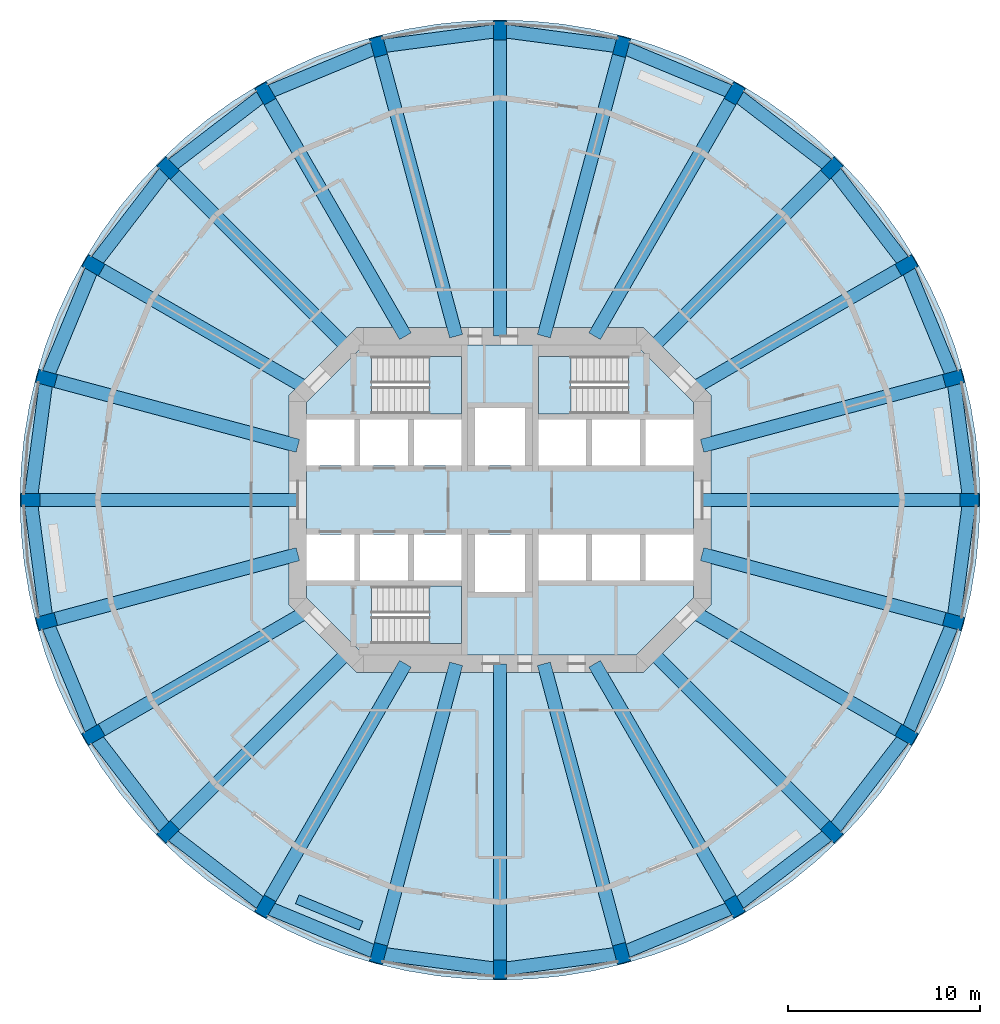
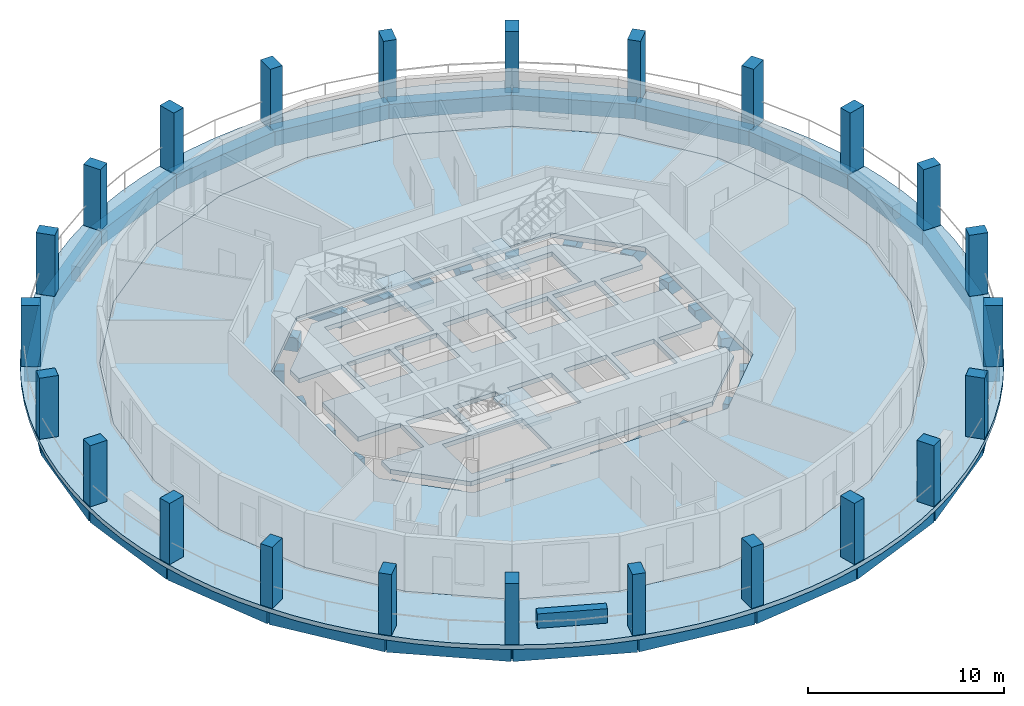
# One storey, part 1 of 8: 48 beams, 24 columns, 6 slabs, 1 wall, 3 elements without a shape of their own.
"""IFC4 building model written with IfcOpenShell, lengths in metres."""

from ifc_helpers import new_model, si_unit, direction, frame, frame_2d, origin, origin_2d, place, context, subcontext, project, spatial, polyline, rectangle, outline, extrude, material, layer, layer_set, material_profile, profile_set, type_object, element, aggregate, save


model = new_model("IFC4")

# Units and contexts
model_context = context("Model", 3, precision=1e-05, world=origin(), true_north=direction((0.0, 1.0)))
body_context = subcontext(model_context, "Body", "Model", "MODEL_VIEW")
ifc_project = project(units=[si_unit("LENGTHUNIT", "METRE"), si_unit("AREAUNIT", "SQUARE_METRE"), si_unit("VOLUMEUNIT", "CUBIC_METRE"), si_unit("PLANEANGLEUNIT", "RADIAN"), si_unit("MASSUNIT", "GRAM", prefix="KILO")], contexts=[model_context])

# Site, building, storey
site_placement = place(None, origin())
site = spatial("IfcSite", under=ifc_project, at=site_placement, CompositionType="ELEMENT")
building_placement = place(site_placement, origin())
building = spatial("IfcBuilding", under=site, at=building_placement, Name="Torre Triforio", CompositionType="ELEMENT")
storey_placement = place(building_placement, frame((0.0, 0.0, 135.199951171875)))
storey = spatial("IfcBuildingStorey", under=building, at=storey_placement, Name="L30", CompositionType="ELEMENT", Elevation=135.199951171875)

# Columns
ifc_material_1 = material(Name="Concrete C60", Category="concrete")
ifc_material_profile_1 = material_profile(ifc_material_1, rectangle(XDim=0.699951171875, YDim=1.0, at=origin_2d()), Name="RC 700x1000")
ifc_profile_set_1 = profile_set([ifc_material_profile_1], Name="Concrete C60")
column_type = type_object("IfcColumnType", Name="Pier RC 700x1000 C60", PredefinedType="COLUMN", material=ifc_profile_set_1)
for number, where, z_axis, x_axis, name in (
    (1, (24.5, 0.0, 0.0), (0.0, 0.0, 1.0), (0.0, 1.0, 0.0), "COL.R.L30.00"),
    (2, (23.665283203125, 6.341064453125, 0.0), (0.0, 0.0, 1.0), (-0.258819045103, 0.965925826289, 0.0), "COL.R.L30.01"),
    (3, (21.217529296875, 12.25, 0.0), (0.0, 0.0, 1.0), (-0.5, 0.866025403784, 0.0), "COL.R.L30.02"),
    (4, (17.32421875, 17.32421875, 0.0), (0.0, 0.0, 1.0), (-0.707106781187, 0.707106781187, 0.0), "COL.R.L30.03"),
    (5, (12.25, 21.217529296875, 0.0), (0.0, 0.0, 1.0), (-0.866025403784, 0.5, 0.0), "COL.R.L30.04"),
    (6, (6.341064453125, 23.665283203125, 0.0), (0.0, 0.0, 1.0), (-0.965925826289, 0.258819045103, 0.0), "COL.R.L30.05"),
    (7, (0.0, 24.5, 0.0), (0.0, 0.0, 1.0), (-1.0, 0.0, 0.0), "COL.R.L30.06"),
    (8, (-6.341064453125, 23.665283203125, 0.0), (0.0, 0.0, 1.0), (-0.965925826289, -0.258819045103, 0.0), "COL.R.L30.07"),
    (9, (-12.25, 21.217529296875, 0.0), (0.0, 0.0, 1.0), (-0.866025403784, -0.5, 0.0), "COL.R.L30.08"),
    (10, (-17.32421875, 17.32421875, 0.0), (0.0, 0.0, 1.0), (-0.707106781187, -0.707106781187, 0.0), "COL.R.L30.09"),
    (11, (-21.217529296875, 12.25, 0.0), (0.0, 0.0, 1.0), (-0.5, -0.866025403784, 0.0), "COL.R.L30.10"),
    (12, (-23.665283203125, 6.341064453125, 0.0), (0.0, 0.0, 1.0), (-0.258819045103, -0.965925826289, 0.0), "COL.R.L30.11"),
    (13, (-24.5, 0.0, 0.0), (0.0, 0.0, 1.0), (0.0, -1.0, 0.0), "COL.R.L30.12"),
    (14, (-23.665283203125, -6.341064453125, 0.0), (0.0, 0.0, 1.0), (0.258819045103, -0.965925826289, 0.0), "COL.R.L30.13"),
    (15, (-21.217529296875, -12.25, 0.0), (0.0, 0.0, 1.0), (0.5, -0.866025403784, 0.0), "COL.R.L30.14"),
    (16, (-17.32421875, -17.32421875, 0.0), (0.0, 0.0, 1.0), (0.707106781187, -0.707106781187, 0.0), "COL.R.L30.15"),
    (17, (-12.25, -21.217529296875, 0.0), (0.0, 0.0, 1.0), (0.866025403784, -0.5, 0.0), "COL.R.L30.16"),
    (18, (-6.341064453125, -23.665283203125, 0.0), (0.0, 0.0, 1.0), (0.965925826289, -0.258819045103, 0.0), "COL.R.L30.17"),
    (19, (0.0, -24.5, 0.0), (0.0, 0.0, 1.0), (1.0, 0.0, 0.0), "COL.R.L30.18"),
    (20, (6.341064453125, -23.665283203125, 0.0), (0.0, 0.0, 1.0), (0.965925826289, 0.258819045103, 0.0), "COL.R.L30.19"),
    (21, (12.25, -21.217529296875, 0.0), (0.0, 0.0, 1.0), (0.866025403784, 0.5, 0.0), "COL.R.L30.20"),
    (22, (17.32421875, -17.32421875, 0.0), (0.0, 0.0, 1.0), (0.707106781187, 0.707106781187, 0.0), "COL.R.L30.21"),
    (23, (21.217529296875, -12.25, 0.0), (0.0, 0.0, 1.0), (0.5, 0.866025403784, 0.0), "COL.R.L30.22"),
    (24, (23.665283203125, -6.341064453125, 0.0), (0.0, 0.0, 1.0), (0.258819045103, 0.965925826289, 0.0), "COL.R.L30.23"),
):
    element("IfcColumn", number, at=place(storey_placement, frame(where, z_axis=z_axis, x_axis=x_axis)), inside=storey, type_object=column_type, Name=name, PredefinedType="COLUMN", context=body_context, shape_type="SweptSolid", body=[
        extrude(rectangle(XDim=0.699951171875, YDim=1.0, at=origin_2d()), origin(), (0.0, 0.0, 1.0), 3.800048828125),
    ])

# Beams
ifc_material_2 = material(Name="Concrete C50", Category="concrete")
ifc_material_profile_2 = material_profile(ifc_material_2, rectangle(XDim=0.699951171875, YDim=0.85009765625, at=origin_2d()), Name="RC 700x850")
ifc_profile_set_2 = profile_set([ifc_material_profile_2], Name="Concrete C50")
beam_type_1 = type_object("IfcBeamType", Name="Radial beam RC 700x850 C50", PredefinedType="BEAM", material=ifc_profile_set_2)
beam_1_placement = place(storey_placement, frame((10.550048828125, 0.0, -0.704833984375), z_axis=(1.0, 0.0, 0.0), x_axis=(0.0, 1.0, 0.0)))
element("IfcBeam", 25, at=beam_1_placement, inside=storey, type_object=beam_type_1, Name="BM.R.L30.00", PredefinedType="BEAM", context=body_context, shape_type="SweptSolid", body=[
    extrude(rectangle(XDim=0.699951171875, YDim=0.85009765625, at=origin_2d()), origin(), (0.0, 0.0, 1.0), 13.949951171875),
])
beam_2_placement = place(storey_placement, frame((10.550048828125, 2.826904296875, -0.704833984375), z_axis=(0.965926862951, 0.258815176197, 0.0), x_axis=(-0.258815176197, 0.965926862951, 0.0)))
element("IfcBeam", 26, at=beam_2_placement, inside=storey, type_object=beam_type_1, Name="BM.R.L30.01", PredefinedType="BEAM", context=body_context, shape_type="SweptSolid", body=[
    extrude(rectangle(XDim=0.699951171875, YDim=0.85009765625, at=origin_2d()), origin(), (0.0, 0.0, 1.0), 13.577880859375),
])
beam_3_placement = place(storey_placement, frame((10.039794921875, 5.796630859375, -0.704833984375), z_axis=(0.866028718729, 0.499994258303, 0.0), x_axis=(-0.499994258303, 0.866028718729, 0.0)))
element("IfcBeam", 27, at=beam_3_placement, inside=storey, type_object=beam_type_1, Name="BM.R.L30.02", PredefinedType="BEAM", context=body_context, shape_type="SweptSolid", body=[
    extrude(rectangle(XDim=0.699951171875, YDim=0.85009765625, at=origin_2d()), origin(), (0.0, 0.0, 1.0), 12.906982421875),
])
beam_4_placement = place(storey_placement, frame((7.918212890625, 7.918212890625, -0.704833984375), z_axis=(0.707106781187, 0.707106781187, 0.0), x_axis=(-0.707106781187, 0.707106781187, 0.0)))
element("IfcBeam", 28, at=beam_4_placement, inside=storey, type_object=beam_type_1, Name="BM.R.L30.03", PredefinedType="BEAM", context=body_context, shape_type="SweptSolid", body=[
    extrude(rectangle(XDim=0.699951171875, YDim=0.85009765625, at=origin_2d()), origin(), (0.0, 0.0, 1.0), 13.302001953125),
])
beam_5_placement = place(storey_placement, frame((4.936279296875, 8.550048828125, -0.704833984375), z_axis=(0.500007560092, 0.86602103892, 0.0), x_axis=(-0.86602103892, 0.500007560092, 0.0)))
element("IfcBeam", 29, at=beam_5_placement, inside=storey, type_object=beam_type_1, Name="BM.R.L30.04", PredefinedType="BEAM", context=body_context, shape_type="SweptSolid", body=[
    extrude(rectangle(XDim=0.699951171875, YDim=0.85009765625, at=origin_2d()), origin(), (0.0, 0.0, 1.0), 14.627197265625),
])
beam_6_placement = place(storey_placement, frame((2.291015625, 8.550048828125, -0.704833984375), z_axis=(0.258815108997, 0.965926880957, 0.0), x_axis=(-0.965926880957, 0.258815108997, 0.0)))
element("IfcBeam", 30, at=beam_6_placement, inside=storey, type_object=beam_type_1, Name="BM.R.L30.05", PredefinedType="BEAM", context=body_context, shape_type="SweptSolid", body=[
    extrude(rectangle(XDim=0.699951171875, YDim=0.85009765625, at=origin_2d()), origin(), (0.0, 0.0, 1.0), 15.6484375),
])
beam_7_placement = place(storey_placement, frame((0.0, 8.550048828125, -0.704833984375), z_axis=(0.0, 1.0, 0.0), x_axis=(-1.0, 0.0, 0.0)))
element("IfcBeam", 31, at=beam_7_placement, inside=storey, type_object=beam_type_1, Name="BM.R.L30.06", PredefinedType="BEAM", context=body_context, shape_type="SweptSolid", body=[
    extrude(rectangle(XDim=0.699951171875, YDim=0.85009765625, at=origin_2d()), origin(), (0.0, 0.0, 1.0), 15.949951171875),
])
beam_8_placement = place(storey_placement, frame((-2.291015625, 8.550048828125, -0.704833984375), z_axis=(-0.258815108997, 0.965926880957, 0.0), x_axis=(-0.965926880957, -0.258815108997, 0.0)))
element("IfcBeam", 32, at=beam_8_placement, inside=storey, type_object=beam_type_1, Name="BM.R.L30.07", PredefinedType="BEAM", context=body_context, shape_type="SweptSolid", body=[
    extrude(rectangle(XDim=0.699951171875, YDim=0.85009765625, at=origin_2d()), origin(), (0.0, 0.0, 1.0), 15.6484375),
])
beam_9_placement = place(storey_placement, frame((-4.936279296875, 8.550048828125, -0.704833984375), z_axis=(-0.500007560092, 0.86602103892, 0.0), x_axis=(-0.86602103892, -0.500007560092, 0.0)))
element("IfcBeam", 33, at=beam_9_placement, inside=storey, type_object=beam_type_1, Name="BM.R.L30.08", PredefinedType="BEAM", context=body_context, shape_type="SweptSolid", body=[
    extrude(rectangle(XDim=0.699951171875, YDim=0.85009765625, at=origin_2d()), origin(), (0.0, 0.0, 1.0), 14.627197265625),
])
beam_10_placement = place(storey_placement, frame((-7.918212890625, 7.918212890625, -0.704833984375), z_axis=(-0.707106781187, 0.707106781187, 0.0), x_axis=(-0.707106781187, -0.707106781187, 0.0)))
element("IfcBeam", 34, at=beam_10_placement, inside=storey, type_object=beam_type_1, Name="BM.R.L30.09", PredefinedType="BEAM", context=body_context, shape_type="SweptSolid", body=[
    extrude(rectangle(XDim=0.699951171875, YDim=0.85009765625, at=origin_2d()), origin(), (0.0, 0.0, 1.0), 13.302001953125),
])
beam_11_placement = place(storey_placement, frame((-10.039794921875, 5.796630859375, -0.704833984375), z_axis=(-0.866028718729, 0.499994258303, 0.0), x_axis=(-0.499994258303, -0.866028718729, 0.0)))
element("IfcBeam", 35, at=beam_11_placement, inside=storey, type_object=beam_type_1, Name="BM.R.L30.10", PredefinedType="BEAM", context=body_context, shape_type="SweptSolid", body=[
    extrude(rectangle(XDim=0.699951171875, YDim=0.85009765625, at=origin_2d()), origin(), (0.0, 0.0, 1.0), 12.906982421875),
])
beam_12_placement = place(storey_placement, frame((-10.550048828125, 2.826904296875, -0.704833984375), z_axis=(-0.965926862951, 0.258815176197, 0.0), x_axis=(-0.258815176197, -0.965926862951, 0.0)))
element("IfcBeam", 36, at=beam_12_placement, inside=storey, type_object=beam_type_1, Name="BM.R.L30.11", PredefinedType="BEAM", context=body_context, shape_type="SweptSolid", body=[
    extrude(rectangle(XDim=0.699951171875, YDim=0.85009765625, at=origin_2d()), origin(), (0.0, 0.0, 1.0), 13.577880859375),
])
beam_13_placement = place(storey_placement, frame((-10.550048828125, 0.0, -0.704833984375), z_axis=(-1.0, 0.0, 0.0), x_axis=(0.0, -1.0, 0.0)))
element("IfcBeam", 37, at=beam_13_placement, inside=storey, type_object=beam_type_1, Name="BM.R.L30.12", PredefinedType="BEAM", context=body_context, shape_type="SweptSolid", body=[
    extrude(rectangle(XDim=0.699951171875, YDim=0.85009765625, at=origin_2d()), origin(), (0.0, 0.0, 1.0), 13.949951171875),
])
beam_14_placement = place(storey_placement, frame((-10.550048828125, -2.826904296875, -0.704833984375), z_axis=(-0.965926862951, -0.258815176197, 0.0), x_axis=(0.258815176197, -0.965926862951, 0.0)))
element("IfcBeam", 38, at=beam_14_placement, inside=storey, type_object=beam_type_1, Name="BM.R.L30.13", PredefinedType="BEAM", context=body_context, shape_type="SweptSolid", body=[
    extrude(rectangle(XDim=0.699951171875, YDim=0.85009765625, at=origin_2d()), origin(), (0.0, 0.0, 1.0), 13.577880859375),
])
beam_15_placement = place(storey_placement, frame((-10.039794921875, -5.796630859375, -0.704833984375), z_axis=(-0.866028718729, -0.499994258303, 0.0), x_axis=(0.499994258303, -0.866028718729, 0.0)))
element("IfcBeam", 39, at=beam_15_placement, inside=storey, type_object=beam_type_1, Name="BM.R.L30.14", PredefinedType="BEAM", context=body_context, shape_type="SweptSolid", body=[
    extrude(rectangle(XDim=0.699951171875, YDim=0.85009765625, at=origin_2d()), origin(), (0.0, 0.0, 1.0), 12.906982421875),
])
beam_16_placement = place(storey_placement, frame((-7.918212890625, -7.918212890625, -0.704833984375), z_axis=(-0.707106781187, -0.707106781187, 0.0), x_axis=(0.707106781187, -0.707106781187, 0.0)))
element("IfcBeam", 40, at=beam_16_placement, inside=storey, type_object=beam_type_1, Name="BM.R.L30.15", PredefinedType="BEAM", context=body_context, shape_type="SweptSolid", body=[
    extrude(rectangle(XDim=0.699951171875, YDim=0.85009765625, at=origin_2d()), origin(), (0.0, 0.0, 1.0), 13.302001953125),
])
beam_17_placement = place(storey_placement, frame((-4.936279296875, -8.550048828125, -0.704833984375), z_axis=(-0.500007560092, -0.86602103892, 0.0), x_axis=(0.86602103892, -0.500007560092, 0.0)))
element("IfcBeam", 41, at=beam_17_placement, inside=storey, type_object=beam_type_1, Name="BM.R.L30.16", PredefinedType="BEAM", context=body_context, shape_type="SweptSolid", body=[
    extrude(rectangle(XDim=0.699951171875, YDim=0.85009765625, at=origin_2d()), origin(), (0.0, 0.0, 1.0), 14.627197265625),
])
beam_18_placement = place(storey_placement, frame((-2.291015625, -8.550048828125, -0.704833984375), z_axis=(-0.258815108997, -0.965926880957, 0.0), x_axis=(0.965926880957, -0.258815108997, 0.0)))
element("IfcBeam", 42, at=beam_18_placement, inside=storey, type_object=beam_type_1, Name="BM.R.L30.17", PredefinedType="BEAM", context=body_context, shape_type="SweptSolid", body=[
    extrude(rectangle(XDim=0.699951171875, YDim=0.85009765625, at=origin_2d()), origin(), (0.0, 0.0, 1.0), 15.6484375),
])
beam_19_placement = place(storey_placement, frame((0.0, -8.550048828125, -0.704833984375), z_axis=(0.0, -1.0, 0.0), x_axis=(1.0, 0.0, 0.0)))
element("IfcBeam", 43, at=beam_19_placement, inside=storey, type_object=beam_type_1, Name="BM.R.L30.18", PredefinedType="BEAM", context=body_context, shape_type="SweptSolid", body=[
    extrude(rectangle(XDim=0.699951171875, YDim=0.85009765625, at=origin_2d()), origin(), (0.0, 0.0, 1.0), 15.949951171875),
])
beam_20_placement = place(storey_placement, frame((2.291015625, -8.550048828125, -0.704833984375), z_axis=(0.258815108997, -0.965926880957, 0.0), x_axis=(0.965926880957, 0.258815108997, 0.0)))
element("IfcBeam", 44, at=beam_20_placement, inside=storey, type_object=beam_type_1, Name="BM.R.L30.19", PredefinedType="BEAM", context=body_context, shape_type="SweptSolid", body=[
    extrude(rectangle(XDim=0.699951171875, YDim=0.85009765625, at=origin_2d()), origin(), (0.0, 0.0, 1.0), 15.6484375),
])
beam_21_placement = place(storey_placement, frame((4.936279296875, -8.550048828125, -0.704833984375), z_axis=(0.500007560092, -0.86602103892, 0.0), x_axis=(0.86602103892, 0.500007560092, 0.0)))
element("IfcBeam", 45, at=beam_21_placement, inside=storey, type_object=beam_type_1, Name="BM.R.L30.20", PredefinedType="BEAM", context=body_context, shape_type="SweptSolid", body=[
    extrude(rectangle(XDim=0.699951171875, YDim=0.85009765625, at=origin_2d()), origin(), (0.0, 0.0, 1.0), 14.627197265625),
])
beam_22_placement = place(storey_placement, frame((7.918212890625, -7.918212890625, -0.704833984375), z_axis=(0.707106781187, -0.707106781187, 0.0), x_axis=(0.707106781187, 0.707106781187, 0.0)))
element("IfcBeam", 46, at=beam_22_placement, inside=storey, type_object=beam_type_1, Name="BM.R.L30.21", PredefinedType="BEAM", context=body_context, shape_type="SweptSolid", body=[
    extrude(rectangle(XDim=0.699951171875, YDim=0.85009765625, at=origin_2d()), origin(), (0.0, 0.0, 1.0), 13.302001953125),
])
beam_23_placement = place(storey_placement, frame((10.039794921875, -5.796630859375, -0.704833984375), z_axis=(0.866028718729, -0.499994258303, 0.0), x_axis=(0.499994258303, 0.866028718729, 0.0)))
element("IfcBeam", 47, at=beam_23_placement, inside=storey, type_object=beam_type_1, Name="BM.R.L30.22", PredefinedType="BEAM", context=body_context, shape_type="SweptSolid", body=[
    extrude(rectangle(XDim=0.699951171875, YDim=0.85009765625, at=origin_2d()), origin(), (0.0, 0.0, 1.0), 12.906982421875),
])
beam_24_placement = place(storey_placement, frame((10.550048828125, -2.826904296875, -0.704833984375), z_axis=(0.965926862951, -0.258815176197, 0.0), x_axis=(0.258815176197, 0.965926862951, 0.0)))
element("IfcBeam", 48, at=beam_24_placement, inside=storey, type_object=beam_type_1, Name="BM.R.L30.23", PredefinedType="BEAM", context=body_context, shape_type="SweptSolid", body=[
    extrude(rectangle(XDim=0.699951171875, YDim=0.85009765625, at=origin_2d()), origin(), (0.0, 0.0, 1.0), 13.577880859375),
])
ifc_material_profile_3 = material_profile(ifc_material_2, rectangle(XDim=0.699951171875, YDim=0.89990234375, at=origin_2d()), Name="RC 700x900")
ifc_profile_set_3 = profile_set([ifc_material_profile_3], Name="Concrete C50")
beam_type_2 = type_object("IfcBeamType", Name="Spandrel beam RC 700x900 C50", PredefinedType="SPANDREL", material=ifc_profile_set_3)
for number, where, z_axis, x_axis, name in (
    (49, (24.5, 0.0, -0.72998046875), (-0.130510796237, 0.991446888172, 0.0), (-0.991446888172, -0.130510796237, 0.0), "BM.S.L30.00"),
    (50, (23.665283203125, 6.341064453125, -0.72998046875), (-0.382709143949, 0.923868882006, 0.0), (-0.923868882006, -0.382709143949, 0.0), "BM.S.L30.01"),
    (51, (21.217529296875, 12.25, -0.72998046875), (-0.60873442055, 0.79337406388, 0.0), (-0.79337406388, -0.60873442055, 0.0), "BM.S.L30.02"),
    (52, (17.32421875, 17.32421875, -0.72998046875), (-0.79337406388, 0.60873442055, 0.0), (-0.60873442055, -0.79337406388, 0.0), "BM.S.L30.03"),
    (53, (12.25, 21.217529296875, -0.72998046875), (-0.923868882006, 0.382709143949, 0.0), (-0.382709143949, -0.923868882006, 0.0), "BM.S.L30.04"),
    (54, (6.341064453125, 23.665283203125, -0.72998046875), (-0.991446888172, 0.130510796237, 0.0), (-0.130510796237, -0.991446888172, 0.0), "BM.S.L30.05"),
    (55, (0.0, 24.5, -0.72998046875), (-0.991446888172, -0.130510796237, 0.0), (0.130510796237, -0.991446888172, 0.0), "BM.S.L30.06"),
    (56, (-6.341064453125, 23.665283203125, -0.72998046875), (-0.923868882006, -0.382709143949, 0.0), (0.382709143949, -0.923868882006, 0.0), "BM.S.L30.07"),
    (57, (-12.25, 21.217529296875, -0.72998046875), (-0.79337406388, -0.60873442055, 0.0), (0.60873442055, -0.79337406388, 0.0), "BM.S.L30.08"),
    (58, (-17.32421875, 17.32421875, -0.72998046875), (-0.60873442055, -0.79337406388, 0.0), (0.79337406388, -0.60873442055, 0.0), "BM.S.L30.09"),
    (59, (-21.217529296875, 12.25, -0.72998046875), (-0.382709143949, -0.923868882006, 0.0), (0.923868882006, -0.382709143949, 0.0), "BM.S.L30.10"),
    (60, (-23.665283203125, 6.341064453125, -0.72998046875), (-0.130510796237, -0.991446888172, 0.0), (0.991446888172, -0.130510796237, 0.0), "BM.S.L30.11"),
    (61, (-24.5, 0.0, -0.72998046875), (0.130510796237, -0.991446888172, 0.0), (0.991446888172, 0.130510796237, 0.0), "BM.S.L30.12"),
    (62, (-23.665283203125, -6.341064453125, -0.72998046875), (0.382709143949, -0.923868882006, 0.0), (0.923868882006, 0.382709143949, 0.0), "BM.S.L30.13"),
    (63, (-21.217529296875, -12.25, -0.72998046875), (0.60873442055, -0.79337406388, 0.0), (0.79337406388, 0.60873442055, 0.0), "BM.S.L30.14"),
    (64, (-17.32421875, -17.32421875, -0.72998046875), (0.79337406388, -0.60873442055, 0.0), (0.60873442055, 0.79337406388, 0.0), "BM.S.L30.15"),
    (65, (-12.25, -21.217529296875, -0.72998046875), (0.923868882006, -0.382709143949, 0.0), (0.382709143949, 0.923868882006, 0.0), "BM.S.L30.16"),
    (66, (-6.341064453125, -23.665283203125, -0.72998046875), (0.991446888172, -0.130510796237, 0.0), (0.130510796237, 0.991446888172, 0.0), "BM.S.L30.17"),
    (67, (0.0, -24.5, -0.72998046875), (0.991446888172, 0.130510796237, 0.0), (-0.130510796237, 0.991446888172, 0.0), "BM.S.L30.18"),
    (68, (6.341064453125, -23.665283203125, -0.72998046875), (0.923868882006, 0.382709143949, 0.0), (-0.382709143949, 0.923868882006, 0.0), "BM.S.L30.19"),
    (69, (12.25, -21.217529296875, -0.72998046875), (0.79337406388, 0.60873442055, 0.0), (-0.60873442055, 0.79337406388, 0.0), "BM.S.L30.20"),
    (70, (17.32421875, -17.32421875, -0.72998046875), (0.60873442055, 0.79337406388, 0.0), (-0.79337406388, 0.60873442055, 0.0), "BM.S.L30.21"),
    (71, (21.217529296875, -12.25, -0.72998046875), (0.382709143949, 0.923868882006, 0.0), (-0.923868882006, 0.382709143949, 0.0), "BM.S.L30.22"),
    (72, (23.665283203125, -6.341064453125, -0.72998046875), (0.130510796237, 0.991446888172, 0.0), (-0.991446888172, 0.130510796237, 0.0), "BM.S.L30.23"),
):
    element("IfcBeam", number, at=place(storey_placement, frame(where, z_axis=z_axis, x_axis=x_axis)), inside=storey, type_object=beam_type_2, Name=name, PredefinedType="SPANDREL", context=body_context, shape_type="SweptSolid", body=[
        extrude(rectangle(XDim=0.699951171875, YDim=0.89990234375, at=origin_2d()), origin(), (0.0, 0.0, 1.0), 6.395751953125),
    ])

# Slabs
ifc_layer_1 = layer(ifc_material_1, 0.280029296875)
ifc_layer_set_1 = layer_set([ifc_layer_1], Name="Concrete C60")
slab_type_1 = type_object("IfcSlabType", Name="Core floor slab 280 mm C60 REI 120", PredefinedType="FLOOR", material=ifc_layer_set_1)
slab_1_placement = place(storey_placement, frame((0.0, 0.0, -0.280029296875)))
element("IfcSlab", 73, at=slab_1_placement, inside=storey, type_object=slab_type_1, Name="Core floor slab", PredefinedType="FLOOR", context=body_context, shape_type="SweptSolid", body=[
    extrude(outline(polyline([(10.10009765625, -5.10009765625), (7.10009765625, -8.10009765625), (-7.10009765625, -8.10009765625), (-10.10009765625, -5.10009765625), (-10.10009765625, -4.199951171875), (-7.60009765625, -4.199951171875), (-7.60009765625, -1.800048828125), (-10.10009765625, -1.800048828125), (-10.10009765625, 1.800048828125), (-7.60009765625, 1.800048828125), (-7.60009765625, 4.199951171875), (-10.10009765625, 4.199951171875), (-10.10009765625, 5.10009765625), (-7.10009765625, 8.10009765625), (7.10009765625, 8.10009765625), (10.10009765625, 5.10009765625), (10.10009765625, 4.199951171875), (7.60009765625, 4.199951171875), (7.60009765625, 1.800048828125), (10.10009765625, 1.800048828125), (10.10009765625, -1.800048828125), (7.60009765625, -1.800048828125), (7.60009765625, -4.199951171875), (10.10009765625, -4.199951171875), (10.10009765625, -5.10009765625)]), holes=[polyline([(-2.0, -4.5), (-6.696044921875, -4.5), (-6.696044921875, -7.5), (-2.0, -7.5), (-2.0, -4.5)]), polyline([(-4.800048828125, -1.800048828125), (-7.300048828125, -1.800048828125), (-7.300048828125, -4.199951171875), (-4.800048828125, -4.199951171875), (-4.800048828125, -1.800048828125)]), polyline([(-2.0, -1.800048828125), (-4.5, -1.800048828125), (-4.5, -4.199951171875), (-2.0, -4.199951171875), (-2.0, -1.800048828125)]), polyline([(-4.800048828125, 4.199951171875), (-7.300048828125, 4.199951171875), (-7.300048828125, 1.800048828125), (-4.800048828125, 1.800048828125), (-4.800048828125, 4.199951171875)]), polyline([(-2.0, 4.199951171875), (-4.5, 4.199951171875), (-4.5, 1.800048828125), (-2.0, 1.800048828125), (-2.0, 4.199951171875)]), polyline([(1.300048828125, 4.800048828125), (-1.300048828125, 4.800048828125), (-1.300048828125, 1.800048828125), (1.300048828125, 1.800048828125), (1.300048828125, 4.800048828125)]), polyline([(-2.0, 7.5), (-6.696044921875, 7.5), (-6.696044921875, 4.5), (-2.0, 4.5), (-2.0, 7.5)]), polyline([(1.300048828125, -1.800048828125), (-1.300048828125, -1.800048828125), (-1.300048828125, -4.800048828125), (1.300048828125, -4.800048828125), (1.300048828125, -1.800048828125)]), polyline([(4.5, -1.800048828125), (2.0, -1.800048828125), (2.0, -4.199951171875), (4.5, -4.199951171875), (4.5, -1.800048828125)]), polyline([(7.300048828125, -1.800048828125), (4.800048828125, -1.800048828125), (4.800048828125, -4.199951171875), (7.300048828125, -4.199951171875), (7.300048828125, -1.800048828125)]), polyline([(4.5, 4.199951171875), (2.0, 4.199951171875), (2.0, 1.800048828125), (4.5, 1.800048828125), (4.5, 4.199951171875)]), polyline([(7.300048828125, 4.199951171875), (4.800048828125, 4.199951171875), (4.800048828125, 1.800048828125), (7.300048828125, 1.800048828125), (7.300048828125, 4.199951171875)]), polyline([(6.696044921875, 4.5), (6.696044921875, 7.5), (2.0, 7.5), (2.0, 4.5), (6.696044921875, 4.5)])]), origin(), (0.0, 0.0, 1.0), 0.280029296875),
])
ifc_layer_2 = layer(ifc_material_2, 0.280029296875)
ifc_layer_set_2 = layer_set([ifc_layer_2], Name="Concrete C50")
slab_type_2 = type_object("IfcSlabType", Name="Floor slab 280 C50", PredefinedType="FLOOR", material=ifc_layer_set_2)
slab_2_placement = place(storey_placement, frame((0.0, 0.0, -0.280029296875)))
element("IfcSlab", 74, at=slab_2_placement, inside=storey, type_object=slab_type_2, Name="SL.L30", PredefinedType="FLOOR", context=body_context, shape_type="SweptSolid", body=[
    extrude(outline(polyline([(18.1865234375, -10.5), (20.284423828125, -5.435302734375), (21.0, 0.0), (20.284423828125, 5.435302734375), (18.1865234375, 10.5), (14.84912109375, 14.84912109375), (10.5, 18.1865234375), (5.435302734375, 20.284423828125), (0.0, 21.0), (-5.435302734375, 20.284423828125), (-10.5, 18.1865234375), (-14.84912109375, 14.84912109375), (-18.1865234375, 10.5), (-20.284423828125, 5.435302734375), (-21.0, 0.0), (-20.284423828125, -5.435302734375), (-18.1865234375, -10.5), (-14.84912109375, -14.84912109375), (-10.5, -18.1865234375), (-5.435302734375, -20.284423828125), (0.0, -21.0), (5.435302734375, -20.284423828125), (10.5, -18.1865234375), (14.84912109375, -14.84912109375), (18.1865234375, -10.5)]), holes=[polyline([(11.0, 5.472900390625), (11.0, -5.472900390625), (7.472900390625, -9.0), (-7.472900390625, -9.0), (-11.0, -5.472900390625), (-11.0, 5.472900390625), (-7.472900390625, 9.0), (7.472900390625, 9.0), (11.0, 5.472900390625)])]), origin(), (0.0, 0.0, 1.0), 0.280029296875),
])
ifc_layer_3 = layer(ifc_material_2, 0.280029296875)
ifc_layer_set_3 = layer_set([ifc_layer_3], Name="Concrete C50")
slab_type_3 = type_object("IfcSlabType", Name="Loggia slab 280 C50", PredefinedType="FLOOR", material=ifc_layer_set_3)
slab_3_placement = place(storey_placement, frame((0.0, 0.0, -0.280029296875)))
element("IfcSlab", 75, at=slab_3_placement, inside=storey, type_object=slab_type_3, Name="SL.L30.LG", PredefinedType="FLOOR", context=body_context, shape_type="SweptSolid", body=[
    extrude(outline(polyline([(24.996337890625, -1.638427734375), (25.050048828125, 0.0), (24.996337890625, 1.638427734375), (24.835693359375, 3.269775390625), (24.568603515625, 4.886962890625), (24.196533203125, 6.4833984375), (23.720703125, 8.052001953125), (23.14306640625, 9.586181640625), (22.466552734375, 11.079345703125), (21.69384765625, 12.52490234375), (20.828369140625, 13.9169921875), (19.87353515625, 15.24951171875), (18.83349609375, 16.5166015625), (17.713134765625, 17.713134765625), (16.5166015625, 18.83349609375), (15.24951171875, 19.87353515625), (13.9169921875, 20.828369140625), (12.52490234375, 21.69384765625), (11.079345703125, 22.466552734375), (9.586181640625, 23.14306640625), (8.052001953125, 23.720703125), (6.4833984375, 24.196533203125), (4.886962890625, 24.568603515625), (3.269775390625, 24.835693359375), (1.638427734375, 24.996337890625), (0.0, 25.050048828125), (-1.638427734375, 24.996337890625), (-3.269775390625, 24.835693359375), (-4.886962890625, 24.568603515625), (-6.4833984375, 24.196533203125), (-8.052001953125, 23.720703125), (-9.586181640625, 23.14306640625), (-11.079345703125, 22.466552734375), (-12.52490234375, 21.69384765625), (-13.9169921875, 20.828369140625), (-15.24951171875, 19.87353515625), (-16.5166015625, 18.83349609375), (-17.713134765625, 17.713134765625), (-18.83349609375, 16.5166015625), (-19.87353515625, 15.24951171875), (-20.828369140625, 13.9169921875), (-21.69384765625, 12.52490234375), (-22.466552734375, 11.079345703125), (-23.14306640625, 9.586181640625), (-23.720703125, 8.052001953125), (-24.196533203125, 6.4833984375), (-24.568603515625, 4.886962890625), (-24.835693359375, 3.269775390625), (-24.996337890625, 1.638427734375), (-25.050048828125, 0.0), (-24.996337890625, -1.638427734375), (-24.835693359375, -3.269775390625), (-24.568603515625, -4.886962890625), (-24.196533203125, -6.4833984375), (-23.720703125, -8.052001953125), (-23.14306640625, -9.586181640625), (-22.466552734375, -11.079345703125), (-21.69384765625, -12.52490234375), (-20.828369140625, -13.9169921875), (-19.87353515625, -15.24951171875), (-18.83349609375, -16.5166015625), (-17.713134765625, -17.713134765625), (-16.5166015625, -18.83349609375), (-15.24951171875, -19.87353515625), (-13.9169921875, -20.828369140625), (-12.52490234375, -21.69384765625), (-11.079345703125, -22.466552734375), (-9.586181640625, -23.14306640625), (-8.052001953125, -23.720703125), (-6.4833984375, -24.196533203125), (-4.886962890625, -24.568603515625), (-3.269775390625, -24.835693359375), (-1.638427734375, -24.996337890625), (0.0, -25.050048828125), (1.638427734375, -24.996337890625), (3.269775390625, -24.835693359375), (4.886962890625, -24.568603515625), (6.4833984375, -24.196533203125), (8.052001953125, -23.720703125), (9.586181640625, -23.14306640625), (11.079345703125, -22.466552734375), (12.52490234375, -21.69384765625), (13.9169921875, -20.828369140625), (15.24951171875, -19.87353515625), (16.5166015625, -18.83349609375), (17.713134765625, -17.713134765625), (18.83349609375, -16.5166015625), (19.87353515625, -15.24951171875), (20.828369140625, -13.9169921875), (21.69384765625, -12.52490234375), (22.466552734375, -11.079345703125), (23.14306640625, -9.586181640625), (23.720703125, -8.052001953125), (24.196533203125, -6.4833984375), (24.568603515625, -4.886962890625), (24.835693359375, -3.269775390625), (24.996337890625, -1.638427734375)]), holes=[polyline([(20.284423828125, 5.435302734375), (21.0, 0.0), (20.284423828125, -5.435302734375), (18.1865234375, -10.5), (14.84912109375, -14.84912109375), (10.5, -18.1865234375), (5.435302734375, -20.284423828125), (0.0, -21.0), (-5.435302734375, -20.284423828125), (-10.5, -18.1865234375), (-14.84912109375, -14.84912109375), (-18.1865234375, -10.5), (-20.284423828125, -5.435302734375), (-21.0, 0.0), (-20.284423828125, 5.435302734375), (-18.1865234375, 10.5), (-14.84912109375, 14.84912109375), (-10.5, 18.1865234375), (-5.435302734375, 20.284423828125), (0.0, 21.0), (5.435302734375, 20.284423828125), (10.5, 18.1865234375), (14.84912109375, 14.84912109375), (18.1865234375, 10.5), (20.284423828125, 5.435302734375)])]), origin(), (0.0, 0.0, 1.0), 0.280029296875),
])

# Stair, slab
ifc_material_3 = material(Name="Concrete C40", Category="concrete")
stair_type = type_object("IfcStairType", Name="STAIR HALF-TURN", PredefinedType="HALF_TURN_STAIR", material=ifc_material_3)
stair_1_placement = place(storey_placement, origin())
stair_1 = element("IfcStair", 76, at=stair_1_placement, inside=storey, type_object=stair_type, Name="Exit stair 1", PredefinedType="HALF_TURN_STAIR")
ifc_layer_4 = layer(ifc_material_3, 0.199951171875)
ifc_layer_set_4 = layer_set([ifc_layer_4], Name="Concrete C40")
slab_type_4 = type_object("IfcSlabType", Name="STAIR LANDING 200", PredefinedType="LANDING", material=ifc_layer_set_4)
slab_4_placement = place(storey_placement, frame((0.0, 0.0, 1.699951171875)))
slab_4 = element("IfcSlab", 77, at=slab_4_placement, type_object=slab_type_4, Name="ST1 landing 1", PredefinedType="LANDING", context=body_context, shape_type="SweptSolid", body=[
    extrude(outline(polyline([(-2.0, 4.5), (-2.0, 7.5), (-3.699951171875, 7.5), (-3.699951171875, 4.5), (-2.0, 4.5)])), origin(), (0.0, 0.0, 1.0), 0.2001953125),
])
aggregate(stair_1, [slab_4])

stair_2_placement = place(storey_placement, origin())
stair_2 = element("IfcStair", 78, at=stair_2_placement, inside=storey, type_object=stair_type, Name="Exit stair 2", PredefinedType="HALF_TURN_STAIR")
slab_5_placement = place(storey_placement, frame((0.0, 0.0, 1.699951171875)))
slab_5 = element("IfcSlab", 79, at=slab_5_placement, type_object=slab_type_4, Name="ST2 landing 1", PredefinedType="LANDING", context=body_context, shape_type="SweptSolid", body=[
    extrude(outline(polyline([(3.699951171875, 4.5), (3.699951171875, 7.5), (2.0, 7.5), (2.0, 4.5), (3.699951171875, 4.5)])), origin(), (0.0, 0.0, 1.0), 0.2001953125),
])
aggregate(stair_2, [slab_5])

stair_3_placement = place(storey_placement, origin())
stair_3 = element("IfcStair", 80, at=stair_3_placement, inside=storey, type_object=stair_type, Name="Exit stair 3", PredefinedType="HALF_TURN_STAIR")
slab_6_placement = place(storey_placement, frame((0.0, 0.0, 1.699951171875)))
slab_6 = element("IfcSlab", 81, at=slab_6_placement, type_object=slab_type_4, Name="ST3 landing 1", PredefinedType="LANDING", context=body_context, shape_type="SweptSolid", body=[
    extrude(outline(polyline([(-2.0, -7.5), (-2.0, -4.5), (-3.699951171875, -4.5), (-3.699951171875, -7.5), (-2.0, -7.5)])), origin(), (0.0, 0.0, 1.0), 0.2001953125),
])
aggregate(stair_3, [slab_6])

# Wall
ifc_material_4 = material(Name="Limestone cladding", Category="masonry")
ifc_layer_5 = layer(ifc_material_4, 0.10009765625)
ifc_layer_6 = layer(ifc_material_3, 0.39990234375)
ifc_layer_set_5 = layer_set([ifc_layer_5, ifc_layer_6], Name="Limestone cladding / Concrete C40")
wall_type = type_object("IfcWallType", Name="Planter wall 500", PredefinedType="PARAPET", material=ifc_layer_set_5)
wall_placement = place(storey_placement, frame((-10.57958984375, -20.837646484375, 0.0), z_axis=(0.0, 0.0, 1.0), x_axis=(0.923909393783, -0.382611332921, 0.0)))
element("IfcWall", 82, at=wall_placement, inside=storey, type_object=wall_type, Name="Planter L30 bay 17", PredefinedType="PARAPET", context=body_context, shape_type="SweptSolid", body=[
    extrude(rectangle(XDim=3.60009765625, YDim=0.5, at=frame_2d((1.800048828125, 0.0))), origin(), (0.0, 0.0, 1.0), 0.900146484375),
])

save(model, "model.ifc")
